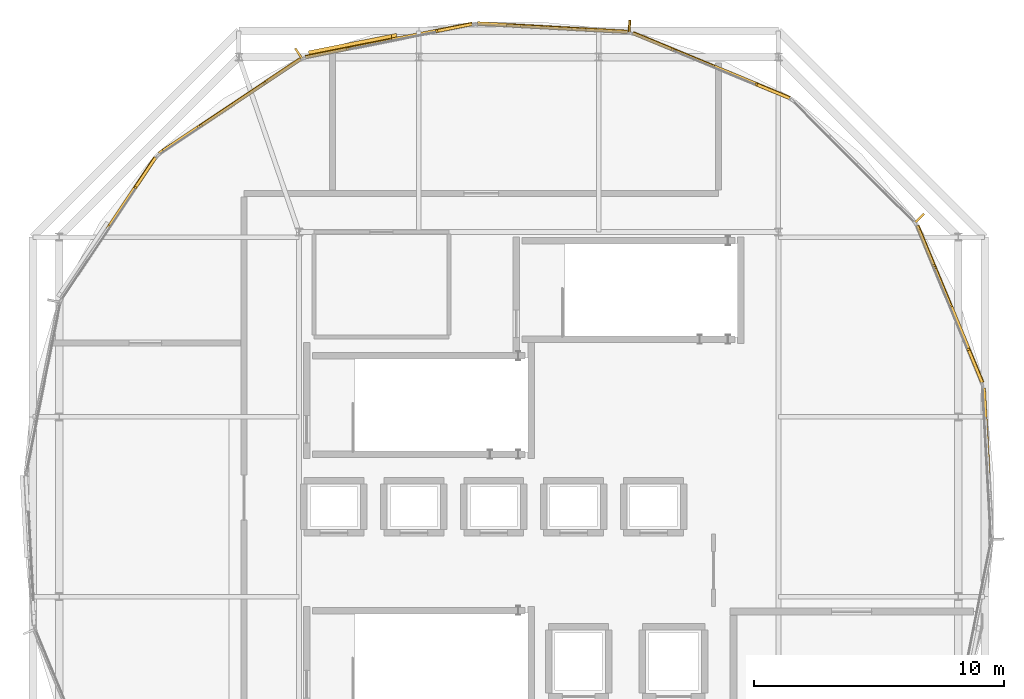
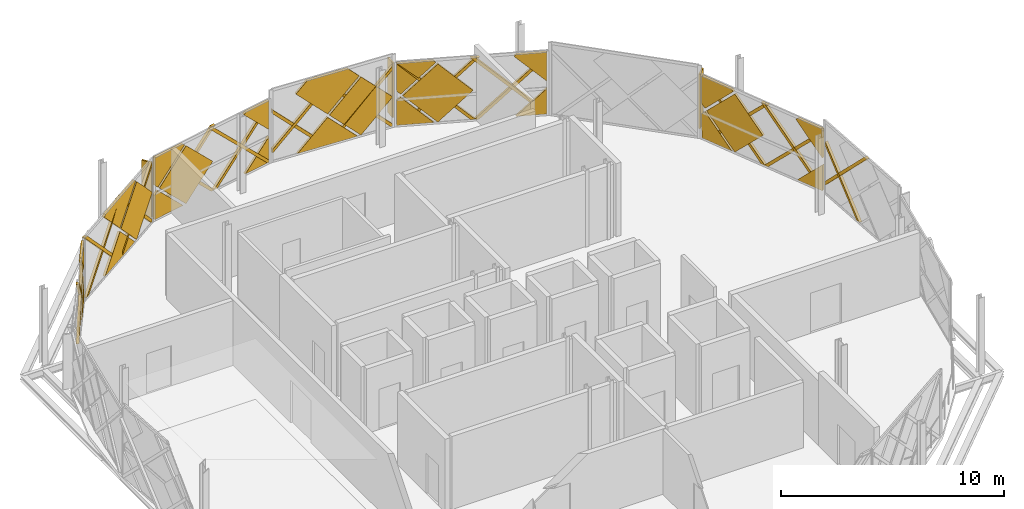
# One storey, part 14 of 15: 47 coverings, 3 shading devices.
"""IFC4 building model written with IfcOpenShell, lengths in metres."""

from ifc_helpers import new_model, si_unit, direction, frame, origin, origin_2d, place, context, subcontext, project, spatial, polyline, rectangle, outline, extrude, material, layer, layer_set, type_object, element, save


model = new_model("IFC4")

# Units and contexts
model_context = context("Model", 3, precision=1e-05, world=origin(), true_north=direction((0.0, 1.0)))
body_context = subcontext(model_context, "Body", "Model", "MODEL_VIEW")
ifc_project = project(units=[si_unit("LENGTHUNIT", "METRE"), si_unit("AREAUNIT", "SQUARE_METRE"), si_unit("VOLUMEUNIT", "CUBIC_METRE"), si_unit("PLANEANGLEUNIT", "RADIAN"), si_unit("MASSUNIT", "GRAM", prefix="KILO")], contexts=[model_context])

# Site, building, storey
site_placement = place(None, origin())
site = spatial("IfcSite", under=ifc_project, at=site_placement, CompositionType="ELEMENT")
building_placement = place(site_placement, origin())
building = spatial("IfcBuilding", under=site, at=building_placement, Name="Zevrakil Square Congress Hotel", CompositionType="ELEMENT")
storey_placement = place(building_placement, frame((0.0, 0.0, 41.89990234375)))
storey = spatial("IfcBuildingStorey", under=building, at=storey_placement, Name="L12", CompositionType="ELEMENT", Elevation=41.89990234375)

# Coverings
ifc_material_1 = material(Name="Architectural White Fibre-C GRC", Category="concrete")
ifc_layer_1 = layer(ifc_material_1, 0.06494140625)
ifc_layer_set_1 = layer_set([ifc_layer_1], Name="Architectural White Fibre-C GRC")
covering_type_1 = type_object("IfcCoveringType", Name="COV-DIA-WHITE", PredefinedType="CLADDING", material=ifc_layer_set_1)
covering_1_placement = place(storey_placement, frame((163.67578125, 33.89013671875, 0.080078125), z_axis=(0.923832993143, 0.382795117661, 0.000706169193), x_axis=(0.382795213106, -0.923833223489, 0.0)))
element("IfcCovering", 1, at=covering_1_placement, inside=storey, type_object=covering_type_1, Name="L12 45-degree white GRC diamond facade cassette 3395", PredefinedType="CLADDING", context=body_context, shape_type="SweptSolid", body=[
    extrude(outline(polyline([(0.0, 0.0), (1.4101402091595991, 0.0), (1.4099919309298783, -1.409912460919042), (0.0, 0.0)])), origin(), (0.0, 0.0, -1.0), 0.1201171875),
])
covering_2_placement = place(storey_placement, frame((161.681396484375, 38.703369140625, 1.590087890625), z_axis=(0.92386810369, 0.382710638562, 0.000542324282), x_axis=(-0.270236009364, 0.653355103566, -0.707177211092)))
element("IfcCovering", 2, at=covering_2_placement, inside=storey, type_object=covering_type_1, Name="L12 45-degree white GRC diamond facade cassette 3396", PredefinedType="CLADDING", context=body_context, shape_type="SweptSolid", body=[
    extrude(outline(polyline([(0.0, 0.0), (0.26272196635071365, 2.7755575615628914e-17), (1.1991408726097759, -0.9363095231817212), (0.00019873089311528425, -2.135490849810203), (0.0, 0.0)])), origin(), (0.0, 0.0, -1.0), 0.1201171875),
])
covering_3_placement = place(storey_placement, frame((162.3232421875, 37.15087890625, 3.27001953125), z_axis=(0.923869766001, 0.382706563363, 0.000584660887), x_axis=(-0.270240934876, 0.653453214446, -0.707084672191)))
element("IfcCovering", 3, at=covering_3_placement, inside=storey, type_object=covering_type_1, Name="L12 45-degree white GRC diamond facade cassette 3397", PredefinedType="CLADDING", context=body_context, shape_type="SweptSolid", body=[
    extrude(outline(polyline([(0.0, 0.0), (2.2484488566285545, 0.0), (2.248497687595369, -2.248605533435262), (-0.00028333160316562633, -2.248592341907808), (0.0, 0.0)])), origin(), (0.0, 0.0, -1.0), 0.1201171875),
])
covering_4_placement = place(storey_placement, frame((163.643310546875, 33.96337890625, 3.360107421875), z_axis=(0.923848228063, 0.382758451681, 0.000647434811), x_axis=(0.271082665547, -0.653104975724, -0.707084209359)))
element("IfcCovering", 4, at=covering_4_placement, inside=storey, type_object=covering_type_1, Name="L12 45-degree white GRC diamond facade cassette 3398", PredefinedType="CLADDING", context=body_context, shape_type="SweptSolid", body=[
    extrude(outline(polyline([(0.0, 0.0), (2.1072317175909694, 2.220446049250313e-16), (0.9829598483852326, -1.1244525123651588), (4.449180978571832e-05, -0.1415994382862953), (0.0, 0.0)])), origin(), (0.0, 0.0, -1.0), 0.1201171875),
])
covering_5_placement = place(storey_placement, frame((161.68115234375, 38.703125, 1.77001953125), z_axis=(0.923897151245, 0.382640442814, 0.000587744589), x_axis=(0.270171361963, -0.65342326835, 0.707138930871)))
element("IfcCovering", 5, at=covering_5_placement, inside=storey, type_object=covering_type_1, Name="L12 45-degree white GRC diamond facade cassette 3399", PredefinedType="CLADDING", context=body_context, shape_type="SweptSolid", body=[
    extrude(outline(polyline([(0.0, 0.0), (2.248621485747374, 0.0), (2.248747477542431, -0.14143998050899675), (1.0637497881493159, -1.3265459176373584), (3.815976841550772e-05, -0.262721929302153), (0.0, 0.0)])), origin(), (0.0, 0.0, -1.0), 0.1201171875),
])
covering_6_placement = place(storey_placement, frame((155.172607421875, 44.550537109375, 0.080078125), z_axis=(0.382708598301, 0.923868946577, 0.000546201807), x_axis=(0.923869084389, -0.382708655389, 0.0)))
element("IfcCovering", 6, at=covering_6_placement, inside=storey, type_object=covering_type_1, Name="L12 45-degree white GRC diamond facade cassette 3411", PredefinedType="CLADDING", context=body_context, shape_type="SweptSolid", body=[
    extrude(outline(polyline([(0.0, 0.0), (1.409821214264322, 0.0), (1.4098759644796002, -1.4099123196891088), (0.0, 0.0)])), origin(), (0.0, 0.0, -1.0), 0.1201171875),
])
covering_7_placement = place(storey_placement, frame((150.35888671875, 46.54345703125, 1.590087890625), z_axis=(0.382714743738, 0.923866349879, 0.000626487164), x_axis=(-0.653201728691, 0.271070440395, -0.706999517665)))
element("IfcCovering", 7, at=covering_7_placement, inside=storey, type_object=covering_type_1, Name="L12 45-degree white GRC diamond facade cassette 3412", PredefinedType="CLADDING", context=body_context, shape_type="SweptSolid", body=[
    extrude(outline(polyline([(0.0, 0.0), (0.2627880900411389, -2.7755575615628914e-17), (1.199049172416016, -0.936467338451697), (-0.00019416830248641936, -2.135347450146476), (0.0, 0.0)])), origin(), (0.0, 0.0, -1.0), 0.1201171875),
])
covering_8_placement = place(storey_placement, frame((151.91064453125, 45.899658203125, 3.27001953125), z_axis=(0.382706563363, 0.923869766001, 0.000584660887), x_axis=(-0.653178483861, 0.271022042721, -0.707039546687)))
element("IfcCovering", 8, at=covering_8_placement, inside=storey, type_object=covering_type_1, Name="L12 45-degree white GRC diamond facade cassette 3413", PredefinedType="CLADDING", context=body_context, shape_type="SweptSolid", body=[
    extrude(outline(polyline([(0.0, 0.0), (2.2485923597582635, 0.0), (2.248322195910606, -2.2487810030087654), (-0.00028331352119903563, -2.248448838779238), (0.0, 0.0)])), origin(), (0.0, 0.0, -1.0), 0.1201171875),
])
covering_9_placement = place(storey_placement, frame((155.097900390625, 44.579345703125, 3.360107421875), z_axis=(0.382678156888, 0.923881491516, 0.000646432903), x_axis=(0.653463123924, -0.270174229914, -0.707101004923)))
element("IfcCovering", 9, at=covering_9_placement, inside=storey, type_object=covering_type_1, Name="L12 45-degree white GRC diamond facade cassette 3414", PredefinedType="CLADDING", context=body_context, shape_type="SweptSolid", body=[
    extrude(outline(polyline([(0.0, 0.0), (2.1071815810865413, 0.0), (0.9829331408363386, -1.1244758586770318), (-0.0001184074899054921, -0.1414399896804409), (0.0, 0.0)])), origin(), (0.0, 0.0, -1.0), 0.1201171875),
])
covering_10_placement = place(storey_placement, frame((150.35888671875, 46.54345703125, 1.77001953125), z_axis=(0.382649680413, 0.923893329852, 0.000580632481), x_axis=(0.653099709415, -0.270939271657, 0.70714403104)))
element("IfcCovering", 10, at=covering_10_placement, inside=storey, type_object=covering_type_1, Name="L12 45-degree white GRC diamond facade cassette 3415", PredefinedType="CLADDING", context=body_context, shape_type="SweptSolid", body=[
    extrude(outline(polyline([(0.0, 0.0), (2.248605529383055, 0.0), (2.248732457341443, -0.14143989755932118), (1.063809389841198, -1.3264883405792431), (-0.00011936422328684415, -0.2628815004894957), (0.0, 0.0)])), origin(), (0.0, 0.0, -1.0), 0.1201171875),
])
covering_11_placement = place(storey_placement, frame((146.709228515625, 46.84619140625, 1.590087890625), z_axis=(0.055456581273, 0.998460984401, 0.00047981482), x_axis=(-0.706038779803, 0.039554633713, -0.707067657559)))
element("IfcCovering", 11, at=covering_11_placement, inside=storey, type_object=covering_type_1, Name="L12 45-degree white GRC diamond facade cassette 3420", PredefinedType="CLADDING", context=body_context, shape_type="SweptSolid", body=[
    extrude(outline(polyline([(0.0, 0.0), (2.135594450520288, 0.0), (-6.000670503603089e-06, -2.1353646403767965), (0.0, 0.0)])), origin(), (0.0, 0.0, -1.0), 0.1201171875),
])
covering_12_placement = place(storey_placement, frame((148.386474609375, 46.751953125, 3.27001953125), z_axis=(0.055453013416, 0.998461108085, 0.000615584083), x_axis=(-0.706007331195, 0.039646521478, -0.707093912881)))
element("IfcCovering", 12, at=covering_12_placement, inside=storey, type_object=covering_type_1, Name="L12 45-degree white GRC diamond facade cassette 3421", PredefinedType="CLADDING", context=body_context, shape_type="SweptSolid", body=[
    extrude(outline(polyline([(0.0, 0.0), (2.248419484485244, 2.220446049250313e-16), (2.248415376005097, -2.248687930829008), (0.013987432080692086, -2.248507263399896), (-0.00016825660491570638, -2.234351064848301), (0.0, 0.0)])), origin(), (0.0, 0.0, -1.0), 0.1201171875),
])
covering_13_placement = place(storey_placement, frame((145.12158203125, 46.93310546875, 3.360107421875), z_axis=(0.055432549555, 0.998462281402, 0.000552328464), x_axis=(0.706029792431, -0.038806142927, -0.707118105744)))
element("IfcCovering", 13, at=covering_13_placement, inside=storey, type_object=covering_type_1, Name="L12 45-degree white GRC diamond facade cassette 3422", PredefinedType="CLADDING", context=body_context, shape_type="SweptSolid", body=[
    extrude(outline(polyline([(0.0, 0.0), (2.248687928690024, 0.0), (2.2485194057037203, -2.2485921130325517), (1.4636517662895763, -2.2485037104967764), (8.216665415111679e-05, -0.7848867763143997), (0.0, 0.0)])), origin(), (0.0, 0.0, -1.0), 0.1201171875),
])
covering_14_placement = place(storey_placement, frame((142.344482421875, 46.709716796875, 0.080078125), z_axis=(-0.194983743043, 0.980806323798, 0.000543273197), x_axis=(0.980806468539, 0.194983771818, 0.0)))
element("IfcCovering", 14, at=covering_14_placement, inside=storey, type_object=covering_type_1, Name="L12 45-degree white GRC diamond facade cassette 3427", PredefinedType="CLADDING", context=body_context, shape_type="SweptSolid", body=[
    extrude(outline(polyline([(0.0, 0.0), (1.409872940642345, 2.710505431213761e-20), (1.409969584966829, -1.4099123174398416), (0.0, 0.0)])), origin(), (0.0, 0.0, -1.0), 0.1201171875),
])
covering_15_placement = place(storey_placement, frame((137.23486328125, 45.6923828125, 1.590087890625), z_axis=(-0.195072958642, 0.980788570303, 0.000566719064), x_axis=(-0.693837232185, -0.137591619425, -0.706865221593)))
element("IfcCovering", 15, at=covering_15_placement, inside=storey, type_object=covering_type_1, Name="L12 45-degree white GRC diamond facade cassette 3428", PredefinedType="CLADDING", context=body_context, shape_type="SweptSolid", body=[
    extrude(outline(polyline([(0.0, 0.0), (0.26283798968492317, 2.7755575615628914e-17), (1.1987813947298718, -0.9367848076347336), (-0.0006463078978873327, -2.1353938508894967), (0.0, 0.0)])), origin(), (0.0, 0.0, -1.0), 0.1201171875),
])
covering_16_placement = place(storey_placement, frame((138.8828125, 46.01904296875, 3.27001953125), z_axis=(-0.195082492128, 0.980786633977, 0.000632357624), x_axis=(-0.693683605089, -0.137520665636, -0.707029789015)))
element("IfcCovering", 16, at=covering_16_placement, inside=storey, type_object=covering_type_1, Name="L12 45-degree white GRC diamond facade cassette 3429", PredefinedType="CLADDING", context=body_context, shape_type="SweptSolid", body=[
    extrude(outline(polyline([(0.0, 0.0), (2.2486233452969397, -2.220446049250313e-16), (2.248376514599766, -2.2487268266199116), (-0.000216514661599998, -2.2483511162497294), (0.0, 0.0)])), origin(), (0.0, 0.0, -1.0), 0.1201171875),
])
covering_17_placement = place(storey_placement, frame((142.266357421875, 46.69189453125, 3.360107421875), z_axis=(-0.195178431241, 0.980767569844, 0.000594911524), x_axis=(0.693432916991, 0.138426080178, -0.707099010012)))
element("IfcCovering", 17, at=covering_17_placement, inside=storey, type_object=covering_type_1, Name="L12 45-degree white GRC diamond facade cassette 3430", PredefinedType="CLADDING", context=body_context, shape_type="SweptSolid", body=[
    extrude(outline(polyline([(0.0, 0.0), (2.107187605494847, 2.220446049250313e-16), (0.9828721456290084, -1.124408847511076), (-1.8670668978065796e-05, -0.14153923711214822), (0.0, 0.0)])), origin(), (0.0, 0.0, -1.0), 0.1201171875),
])
covering_18_placement = place(storey_placement, frame((137.23486328125, 45.692138671875, 1.77001953125), z_axis=(-0.195201715494, 0.980762824721, 0.000756249293), x_axis=(0.69357849265, 0.13749801288, 0.707137307025)))
element("IfcCovering", 18, at=covering_18_placement, inside=storey, type_object=covering_type_1, Name="L12 45-degree white GRC diamond facade cassette 3431", PredefinedType="CLADDING", context=body_context, shape_type="SweptSolid", body=[
    extrude(outline(polyline([(0.0, 0.0), (2.2486266294005954, 0.0), (2.248619403519684, -0.14157305467235215), (1.0639058602397728, -1.3263893978610328), (5.7307424370933724e-05, -0.2627023395057271), (0.0, 0.0)])), origin(), (0.0, 0.0, -1.0), 0.1201171875),
])
covering_19_placement = place(storey_placement, frame((134.126953125, 43.755859375, 1.590087890625), z_axis=(-0.55561388907, 0.831440251576, 0.000560652442), x_axis=(-0.588172468812, -0.392572256151, -0.707064474169)))
element("IfcCovering", 19, at=covering_19_placement, inside=storey, type_object=covering_type_1, Name="L12 45-degree white GRC diamond facade cassette 3436", PredefinedType="CLADDING", context=body_context, shape_type="SweptSolid", body=[
    extrude(outline(polyline([(0.0, 0.0), (2.135604065526496, 2.220446049250313e-16), (-1.6773891793997464e-05, -2.1353659801476814), (0.0, 0.0)])), origin(), (0.0, 0.0, -1.0), 0.1201171875),
])
covering_20_placement = place(storey_placement, frame((135.5244140625, 44.688232421875, 3.27001953125), z_axis=(-0.555623930155, 0.831433470094, 0.000658062089), x_axis=(-0.588191474876, -0.392512410083, -0.707081888337)))
element("IfcCovering", 20, at=covering_20_placement, inside=storey, type_object=covering_type_1, Name="L12 45-degree white GRC diamond facade cassette 3437", PredefinedType="CLADDING", context=body_context, shape_type="SweptSolid", body=[
    extrude(outline(polyline([(0.0, 0.0), (2.2484577242927295, 0.0), (2.2485192788301918, -2.24858415508016), (0.014053149047025038, -2.248403680085748), (-0.00010229891283919379, -2.2342472415870107), (0.0, 0.0)])), origin(), (0.0, 0.0, -1.0), 0.1201171875),
])
covering_21_placement = place(storey_placement, frame((132.805419921875, 42.87158203125, 3.360107421875), z_axis=(-0.555550237853, 0.831482696467, 0.000677271728), x_axis=(0.587656918055, 0.39321547523, -0.707135727214)))
element("IfcCovering", 21, at=covering_21_placement, inside=storey, type_object=covering_type_1, Name="L12 45-degree white GRC diamond facade cassette 3438", PredefinedType="CLADDING", context=body_context, shape_type="SweptSolid", body=[
    extrude(outline(polyline([(0.0, 0.0), (2.2486316222121516, 0.0), (2.248445215160352, -2.248630342151921), (2.106994500158236, -2.2487334006834327), (-6.707183197283972e-05, -0.14149834378777962), (0.0, 0.0)])), origin(), (0.0, 0.0, -1.0), 0.1201171875),
])
covering_22_placement = place(storey_placement, frame((130.22998046875, 40.44921875, 0.080078125), z_axis=(-0.831436961663, 0.555618744269, 0.000624337381), x_axis=(0.555618852558, 0.831437123709, 0.0)))
element("IfcCovering", 22, at=covering_22_placement, inside=storey, type_object=covering_type_1, Name="L12 45-degree white GRC diamond facade cassette 3443", PredefinedType="CLADDING", context=body_context, shape_type="SweptSolid", body=[
    extrude(outline(polyline([(0.0, 0.0), (1.4100444252712594, 5.421010862427522e-20), (1.410045397514974, -1.409912384164952), (0.0, 0.0)])), origin(), (0.0, 0.0, -1.0), 0.1201171875),
])
covering_23_placement = place(storey_placement, frame((130.187255859375, 40.381591796875, 3.360107421875), z_axis=(-0.831490184239, 0.555539180131, 0.000541159973), x_axis=(0.392528090984, 0.588195943817, -0.7070694658)))
element("IfcCovering", 23, at=covering_23_placement, inside=storey, type_object=covering_type_1, Name="L12 45-degree white GRC diamond facade cassette 3446", PredefinedType="CLADDING", context=body_context, shape_type="SweptSolid", body=[
    extrude(outline(polyline([(0.0, 0.0), (2.1072756173793294, 2.220446049250313e-16), (0.9829733130901751, -1.124421897221824), (4.2172999968323466e-05, -0.14159418833588194), (0.0, 0.0)])), origin(), (0.0, 0.0, -1.0), 0.1201171875),
])
ifc_material_2 = material(Name="Anodised Champagne Aluminium", Category="aluminium")
ifc_layer_2 = layer(ifc_material_2, 0.0849609375)
ifc_layer_set_2 = layer_set([ifc_layer_2], Name="Anodised Champagne Aluminium")
covering_type_2 = type_object("IfcCoveringType", Name="COV-DIAGRID-45", PredefinedType="MOLDING", material=ifc_layer_set_2)
covering_24_placement = place(storey_placement, frame((164.43408203125, 29.791259765625, 0.080078125), z_axis=(0.998450112503, 0.055652786639, 0.000374408074), x_axis=(0.055652790648, -0.998450182479, -2.90206e-07)))
element("IfcCovering", 24, at=covering_24_placement, inside=storey, type_object=covering_type_2, Name="L12 45-degree aluminium diagrid rib 3392", PredefinedType="MOLDING", context=body_context, shape_type="SweptSolid", body=[
    extrude(outline(polyline([(0.0, 0.0), (0.21200764036897715, 0.0), (-2.5782735579056517, -2.7905267911093574), (-2.578259909228952, -2.5783685115920725), (0.0, 0.0)])), origin(), (0.0, 0.0, -1.0), 0.14501953125),
])
covering_25_placement = place(storey_placement, frame((164.47900390625, 28.9453125, 3.9150390625), z_axis=(0.998451173305, 0.055629287464, 0.00079806129), x_axis=(-0.055629305687, 0.998451491234, 6.37354e-07)))
element("IfcCovering", 25, at=covering_25_placement, inside=storey, type_object=covering_type_2, Name="L12 45-degree aluminium diagrid rib 3394", PredefinedType="MOLDING", context=body_context, shape_type="SweptSolid", body=[
    extrude(outline(polyline([(0.0, 0.0), (0.2120076364450599, 0.0), (3.425325468228768, -3.2131379719979214), (3.4253253330088578, -3.4252961075608948), (0.0, 0.0)])), origin(), (0.0, 0.0, -1.0), 0.14501953125),
])
covering_26_placement = place(storey_placement, frame((164.20556640625, 32.676513671875, 0.080078125), z_axis=(0.923857936913, 0.382735201188, 0.000527422158), x_axis=(0.382735254664, -0.923858065309, -4.97385e-07)))
element("IfcCovering", 26, at=covering_26_placement, inside=storey, type_object=covering_type_2, Name="L12 45-degree aluminium diagrid rib 3400", PredefinedType="MOLDING", context=body_context, shape_type="SweptSolid", body=[
    extrude(outline(polyline([(0.0, 0.0), (0.08591873305790072, 0.0), (0.08591867027755959, -0.12622068556931584), (-3.1679170460150226, -3.3801258426850027), (-3.3800572147141956, -3.3801256579105226), (0.0, 0.0)])), origin(), (0.0, 0.0, -1.0), 0.14501953125),
])
covering_27_placement = place(storey_placement, frame((162.919921875, 35.78076171875, 0.080078125), z_axis=(0.923850496364, 0.382753096415, 0.000572322196), x_axis=(0.382753159014, -0.923850647705, 1.64587e-07)))
element("IfcCovering", 27, at=covering_27_placement, inside=storey, type_object=covering_type_2, Name="L12 45-degree aluminium diagrid rib 3401", PredefinedType="MOLDING", context=body_context, shape_type="SweptSolid", body=[
    extrude(outline(polyline([(0.0, 0.0), (0.21191461627245695, -6.776263578034403e-21), (-3.1680082878336315, -3.3801280298999195), (-3.3598843305819166, -3.3801280894608543), (-3.3598843339572437, -3.3596202803195494), (0.0, 0.0)])), origin(), (0.0, 0.0, -1.0), 0.14501953125),
])
covering_28_placement = place(storey_placement, frame((164.23681640625, 32.596435546875, 3.154052734375), z_axis=(0.92383022594, 0.382801764154, 0.000723188016), x_axis=(-0.000261147849, -0.001258957474, 0.999999173414)))
element("IfcCovering", 28, at=covering_28_placement, inside=storey, type_object=covering_type_2, Name="L12 45-degree aluminium diagrid rib 3402", PredefinedType="MOLDING", context=body_context, shape_type="SweptSolid", body=[
    extrude(outline(polyline([(0.0, 0.0), (0.2121583351205788, 0.0), (-3.0774670803176924, -3.2827986087218206), (-3.0772414991120813, -3.0705651138067735), (0.0, 0.0)])), origin(), (0.0, 0.0, -1.0), 0.14501953125),
])
covering_29_placement = place(storey_placement, frame((163.068115234375, 35.417724609375, 3.460205078125), z_axis=(0.923925588404, 0.382571927951, 0.000476483983), x_axis=(-0.382571971491, 0.92392569324, 2.5321e-07)))
element("IfcCovering", 29, at=covering_29_placement, inside=storey, type_object=covering_type_2, Name="L12 45-degree aluminium diagrid rib 3403", PredefinedType="MOLDING", context=body_context, shape_type="SweptSolid", body=[
    extrude(outline(polyline([(0.0, 0.0), (0.2122335933052738, 6.776263578034403e-21), (3.592240317623461, -3.3801282464241575), (3.3801001256784144, -3.3801281389683657), (0.0, 0.0)])), origin(), (0.0, 0.0, -1.0), 0.14501953125),
])
covering_30_placement = place(storey_placement, frame((156.4052734375, 44.06689453125, 0.080078125), z_axis=(0.382675609209, 0.923882571355, 0.000610297114), x_axis=(0.923882743795, -0.382675679545, -1.648374e-06)))
element("IfcCovering", 30, at=covering_30_placement, inside=storey, type_object=covering_type_2, Name="L12 45-degree aluminium diagrid rib 3416", PredefinedType="MOLDING", context=body_context, shape_type="SweptSolid", body=[
    extrude(outline(polyline([(0.0, 0.0), (0.08605085828519979, 3.3881317890172014e-21), (0.08614407690581542, -0.12622081742956057), (-3.167872759221456, -3.3801223017526265), (-3.380106363849341, -3.38012189761982), (0.0, 0.0)])), origin(), (0.0, 0.0, -1.0), 0.14501953125),
])
covering_31_placement = place(storey_placement, frame((153.301025390625, 45.352783203125, 0.080078125), z_axis=(0.382494631147, 0.923957629248, 0.000395597806), x_axis=(0.923957701574, -0.382494661012, -1.77217e-07)))
element("IfcCovering", 31, at=covering_31_placement, inside=storey, type_object=covering_type_2, Name="L12 45-degree aluminium diagrid rib 3417", PredefinedType="MOLDING", context=body_context, shape_type="SweptSolid", body=[
    extrude(outline(polyline([(0.0, 0.0), (0.21214020063955916, -3.3881317890172014e-21), (-3.1678681109475146, -3.3801266595126145), (-3.3597441325068624, -3.380126584930701), (-3.359744128872523, -3.3596187740354133), (0.0, 0.0)])), origin(), (0.0, 0.0, -1.0), 0.14501953125),
])
covering_32_placement = place(storey_placement, frame((156.484130859375, 44.032470703125, 3.154052734375), z_axis=(0.382162633505, 0.924094364081, 0.001152313226), x_axis=(-3.3979394e-05, -0.001232911637, 0.999999239387)))
element("IfcCovering", 32, at=covering_32_placement, inside=storey, type_object=covering_type_2, Name="L12 45-degree aluminium diagrid rib 3418", PredefinedType="MOLDING", context=body_context, shape_type="SweptSolid", body=[
    extrude(outline(polyline([(0.0, 0.0), (0.21215834275850035, -1.3552527156068805e-20), (-3.0754214151865518, -3.284576241553755), (-3.075328143406767, -3.0724360409711395), (0.0, 0.0)])), origin(), (0.0, 0.0, -1.0), 0.14501953125),
])
covering_33_placement = place(storey_placement, frame((153.66259765625, 45.200927734375, 3.460205078125), z_axis=(0.382283779723, 0.924044377193, 0.001049160865), x_axis=(-0.924044885851, 0.382283989897, 2.30789e-07)))
element("IfcCovering", 33, at=covering_33_placement, inside=storey, type_object=covering_type_2, Name="L12 45-degree aluminium diagrid rib 3419", PredefinedType="MOLDING", context=body_context, shape_type="SweptSolid", body=[
    extrude(outline(polyline([(0.0, 0.0), (0.212140216793112, 1.3552527156068805e-20), (3.592061508420095, -3.3801296424531375), (3.380146888522943, -3.3801295445859156), (0.0, 0.0)])), origin(), (0.0, 0.0, -1.0), 0.14501953125),
])
covering_34_placement = place(storey_placement, frame((149.879638671875, 46.696044921875, 0.080078125), z_axis=(0.055394350454, 0.998464377885, 0.00059332287), x_axis=(0.99846455366, -0.055394359678, -8.88672e-07)))
element("IfcCovering", 34, at=covering_34_placement, inside=storey, type_object=covering_type_2, Name="L12 45-degree aluminium diagrid rib 3423", PredefinedType="MOLDING", context=body_context, shape_type="SweptSolid", body=[
    extrude(outline(polyline([(0.0, 0.0), (0.08606250383841152, -4.235164736271502e-22), (0.08607591568323437, -0.12622082555190198), (-3.622875699524185, -3.834958350473409), (-3.8351135320049603, -3.834958184461753), (0.0, 0.0)])), origin(), (0.0, 0.0, -1.0), 0.14501953125),
])
covering_35_placement = place(storey_placement, frame((146.52490234375, 46.88232421875, 0.080078125), z_axis=(0.055060691438, 0.99848298567, 0.000218140202), x_axis=(0.998483009426, -0.055060692758, 4.7622e-08)))
element("IfcCovering", 35, at=covering_35_placement, inside=storey, type_object=covering_type_2, Name="L12 45-degree aluminium diagrid rib 3424", PredefinedType="MOLDING", context=body_context, shape_type="SweptSolid", body=[
    extrude(outline(polyline([(0.0, 0.0), (0.2119940630920383, -4.235164736271502e-22), (-2.5783405593720428, -2.7905275329295485), (-2.5783405694754387, -2.5783693348523387), (0.0, 0.0)])), origin(), (0.0, 0.0, -1.0), 0.14501953125),
])
covering_36_placement = place(storey_placement, frame((149.965576171875, 46.689453125, 3.154052734375), z_axis=(0.054482383776, 0.998513507101, 0.001563967539), x_axis=(-2.260637e-05, -0.001565060425, 0.999998775037)))
element("IfcCovering", 36, at=covering_36_placement, inside=storey, type_object=covering_type_2, Name="L12 45-degree aluminium diagrid rib 3425", PredefinedType="MOLDING", context=body_context, shape_type="SweptSolid", body=[
    extrude(outline(polyline([(0.0, 0.0), (0.21215832533380893, -1.6940658945086007e-21), (-3.074184389644853, -3.2859558817532255), (-3.0741712217954515, -3.07373140478899), (0.0, 0.0)])), origin(), (0.0, 0.0, -1.0), 0.14501953125),
])
covering_37_placement = place(storey_placement, frame((147.37060546875, 46.8330078125, 3.9150390625), z_axis=(0.055629710682, 0.998451382286, 0.000415330866), x_axis=(-0.998451468407, 0.055629715409, 1.72435e-07)))
element("IfcCovering", 37, at=covering_37_placement, inside=storey, type_object=covering_type_2, Name="L12 45-degree aluminium diagrid rib 3426", PredefinedType="MOLDING", context=body_context, shape_type="SweptSolid", body=[
    extrude(outline(polyline([(0.0, 0.0), (0.2122378176066022, 0.0), (3.4255442646004766, -3.2131356334413663), (3.4255442280169723, -3.425293818267746), (0.0, 0.0)])), origin(), (0.0, 0.0, -1.0), 0.14501953125),
])
covering_38_placement = place(storey_placement, frame((143.63818359375, 46.9921875, 0.080078125), z_axis=(-0.195207133947, 0.980761935968, 0.000447003681), x_axis=(0.980762033916, 0.195207153631, -4.14327e-07)))
element("IfcCovering", 38, at=covering_38_placement, inside=storey, type_object=covering_type_2, Name="L12 45-degree aluminium diagrid rib 3432", PredefinedType="MOLDING", context=body_context, shape_type="SweptSolid", body=[
    extrude(outline(polyline([(0.0, 0.0), (0.08589653205604736, 0.0), (0.08589647975945522, -0.1262206905147646), (-3.1679281203618412, -3.380125973354003), (-3.379988487026904, -3.3801258235364484), (0.0, 0.0)])), origin(), (0.0, 0.0, -1.0), 0.14501953125),
])
covering_39_placement = place(storey_placement, frame((140.3427734375, 46.3369140625, 0.080078125), z_axis=(-0.195321070648, 0.980739270432, 0.000403476305), x_axis=(0.98073935025, 0.195321086604, -1.44953e-07)))
element("IfcCovering", 39, at=covering_39_placement, inside=storey, type_object=covering_type_2, Name="L12 45-degree aluminium diagrid rib 3433", PredefinedType="MOLDING", context=body_context, shape_type="SweptSolid", body=[
    extrude(outline(polyline([(0.0, 0.0), (0.21210803494513036, 3.3881317890172014e-21), (-3.1679750485293425, -3.380126772100622), (-3.3596384825973424, -3.3801267104212536), (-3.359638479624669, -3.359618899590519), (0.0, 0.0)])), origin(), (0.0, 0.0, -1.0), 0.14501953125),
])
covering_40_placement = place(storey_placement, frame((143.722900390625, 47.00732421875, 3.154052734375), z_axis=(-0.195067789965, 0.98078956775, 0.000617341159), x_axis=(-9.9738198e-05, -0.000649269483, 0.999999784251)))
element("IfcCovering", 40, at=covering_40_placement, inside=storey, type_object=covering_type_2, Name="L12 45-degree aluminium diagrid rib 3434", PredefinedType="MOLDING", context=body_context, shape_type="SweptSolid", body=[
    extrude(outline(polyline([(0.0, 0.0), (0.2121583158650719, -1.3552527156068805e-20), (-3.0732374640055022, -3.2868361115554294), (-3.073284999036575, -3.0747757326683876), (0.0, 0.0)])), origin(), (0.0, 0.0, -1.0), 0.14501953125),
])
covering_41_placement = place(storey_placement, frame((140.727783203125, 46.411376953125, 3.460205078125), z_axis=(0.194456292969, -0.980911181988, 5.634716e-05), x_axis=(-0.980911183546, -0.194456293277, 6.3e-09)))
element("IfcCovering", 41, at=covering_41_placement, inside=storey, type_object=covering_type_2, Name="L12 45-degree aluminium diagrid rib 3435", PredefinedType="MOLDING", context=body_context, shape_type="SweptSolid", body=[
    extrude(outline(polyline([(0.0, 0.0), (0.21229989090045664, 4.235164736271502e-22), (3.5922912442009713, 3.3801269811231083), (3.380230833569935, 3.3801269784495536), (0.0, 0.0)])), origin(), (0.0, 0.0, -1.0), 0.14501953125),
])
covering_42_placement = place(storey_placement, frame((136.751708984375, 45.540771484375, 0.080078125), z_axis=(-0.555633170698, 0.83142739696, 0.000513035192), x_axis=(0.831427506426, 0.555633243748, 1.70284e-07)))
element("IfcCovering", 42, at=covering_42_placement, inside=storey, type_object=covering_type_2, Name="L12 45-degree aluminium diagrid rib 3439", PredefinedType="MOLDING", context=body_context, shape_type="SweptSolid", body=[
    extrude(outline(polyline([(0.0, 0.0), (0.08572395371272046, -3.3881317890172014e-21), (0.08592696043709792, -0.12622075607404715), (-3.1680646450476924, -3.380127934093571), (-3.380140210567707, -3.3801280218462075), (0.0, 0.0)])), origin(), (0.0, 0.0, -1.0), 0.14501953125),
])
covering_43_placement = place(storey_placement, frame((133.957763671875, 43.673828125, 0.080078125), z_axis=(-0.555429699048, 0.831563133075, 0.000777898601), x_axis=(0.831563384648, 0.555429867141, -6.2018e-08)))
element("IfcCovering", 43, at=covering_43_placement, inside=storey, type_object=covering_type_2, Name="L12 45-degree aluminium diagrid rib 3440", PredefinedType="MOLDING", context=body_context, shape_type="SweptSolid", body=[
    extrude(outline(polyline([(0.0, 0.0), (0.21227855296138182, 0.0), (-3.1678618945268697, -3.3801277861389543), (-3.35955581841574, -3.3801277487887407), (-3.3595558171438773, -3.3596199424936497), (0.0, 0.0)])), origin(), (0.0, 0.0, -1.0), 0.14501953125),
])
covering_44_placement = place(storey_placement, frame((136.82421875, 45.5869140625, 3.154052734375), z_axis=(-0.555554310844, 0.831480056098, 0.000569222861), x_axis=(0.000316234265, -0.000473297533, 0.999999837993)))
element("IfcCovering", 44, at=covering_44_placement, inside=storey, type_object=covering_type_2, Name="L12 45-degree aluminium diagrid rib 3441", PredefinedType="MOLDING", context=body_context, shape_type="SweptSolid", body=[
    extrude(outline(polyline([(0.0, 0.0), (0.21215816875381263, 0.0), (-3.0739751073815484, -3.2862194090260903), (-3.0739751761239287, -3.0741438540042103), (0.0, 0.0)])), origin(), (0.0, 0.0, -1.0), 0.14501953125),
])
covering_45_placement = place(storey_placement, frame((134.284912109375, 43.89013671875, 3.460205078125), z_axis=(-0.556027434203, 0.831163162514, 0.001135646685), x_axis=(-0.831163698488, -0.556027792755, 0.0)))
element("IfcCovering", 45, at=covering_45_placement, inside=storey, type_object=covering_type_2, Name="L12 45-degree aluminium diagrid rib 3442", PredefinedType="MOLDING", context=body_context, shape_type="SweptSolid", body=[
    extrude(outline(polyline([(0.0, 0.0), (0.2120755894064681, -1.3552527156068805e-20), (3.5921426643840695, -3.3801291327908096), (3.3800670749776014, -3.3801291327908096), (0.0, 0.0)])), origin(), (0.0, 0.0, -1.0), 0.14501953125),
])
covering_46_placement = place(storey_placement, frame((130.94482421875, 41.56396484375, 0.080078125), z_axis=(-0.831349319052, 0.55574968357, 0.000773900848), x_axis=(0.555749850151, 0.831349567906, 2.41074e-07)))
element("IfcCovering", 46, at=covering_46_placement, inside=storey, type_object=covering_type_2, Name="L12 45-degree aluminium diagrid rib 3448", PredefinedType="MOLDING", context=body_context, shape_type="SweptSolid", body=[
    extrude(outline(polyline([(0.0, 0.0), (0.08606259619774945, 0.0), (0.0860626266262425, -0.12622066532677967), (-3.1677888109201167, -3.380128750530351), (-3.379864388471603, -3.38012874677847), (0.0, 0.0)])), origin(), (0.0, 0.0, -1.0), 0.14501953125),
])
covering_47_placement = place(storey_placement, frame((130.994140625, 41.634521484375, 3.154052734375), z_axis=(-0.831160577312, 0.556032458308, 5.611112e-06), x_axis=(4.663735e-06, -3.119961e-06, 0.999999999984)))
element("IfcCovering", 47, at=covering_47_placement, inside=storey, type_object=covering_type_2, Name="L12 45-degree aluminium diagrid rib 3450", PredefinedType="MOLDING", context=body_context, shape_type="SweptSolid", body=[
    extrude(outline(polyline([(0.0, 0.0), (0.21215820312166014, -8.985249403857263e-23), (-3.073974609423391, -3.286020580217439), (-3.073974609430071, -3.0739449908143124), (0.0, 0.0)])), origin(), (0.0, 0.0, -1.0), 0.14501953125),
])

# Shading devices
ifc_material_3 = material(Name="Aluminium Anodised Bronze", Category="aluminium")
shading_device_type = type_object("IfcShadingDeviceType", Name="SHD-FIN-50", PredefinedType="JALOUSIE", material=ifc_material_3)
for number, where, z_axis, x_axis, name in (
    (48, (161.647705078125, 39.150390625, 0.49755859375), (0.0, 0.0, 1.0), (0.707106781187, 0.707106781187, 0.0), "L12 aluminium solar shading fin 189"),
    (49, (150.03369140625, 46.837890625, 0.49755859375), (0.0, 0.0, 1.0), (0.055420700696, 0.998463091924, 0.0), "L12 aluminium solar shading fin 190"),
    (50, (136.78955078125, 45.74658203125, 0.27001953125), (0.0, 0.0, 1.0), (-0.55557023302, 0.831469612303, 0.0), "L12 aluminium solar shading fin 191"),
):
    element("IfcShadingDevice", number, at=place(storey_placement, frame(where, z_axis=z_axis, x_axis=x_axis)), inside=storey, type_object=shading_device_type, Name=name, PredefinedType="JALOUSIE", context=body_context, shape_type="SweptSolid", body=[
        extrude(rectangle(XDim=0.5, YDim=0.080078125, at=origin_2d()), origin(), (0.0, 0.0, 1.0), 3.0),
    ])

save(model, "model.ifc")
